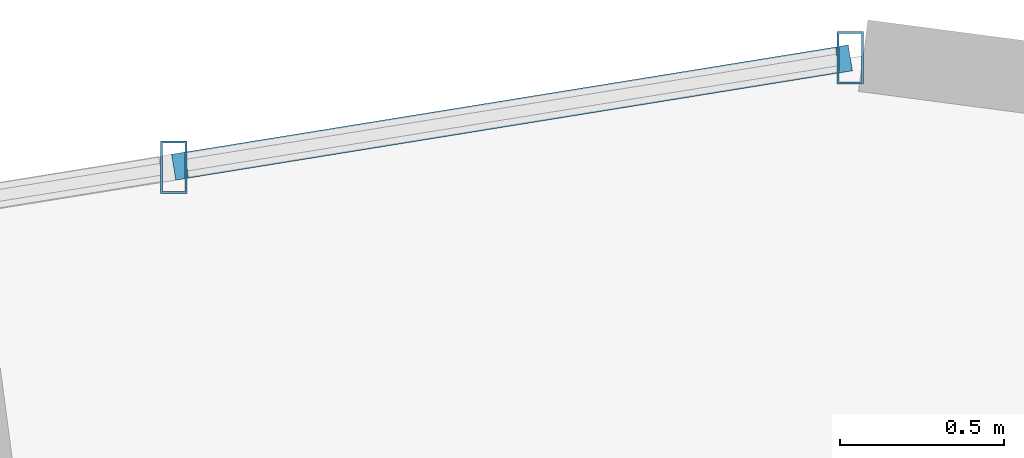
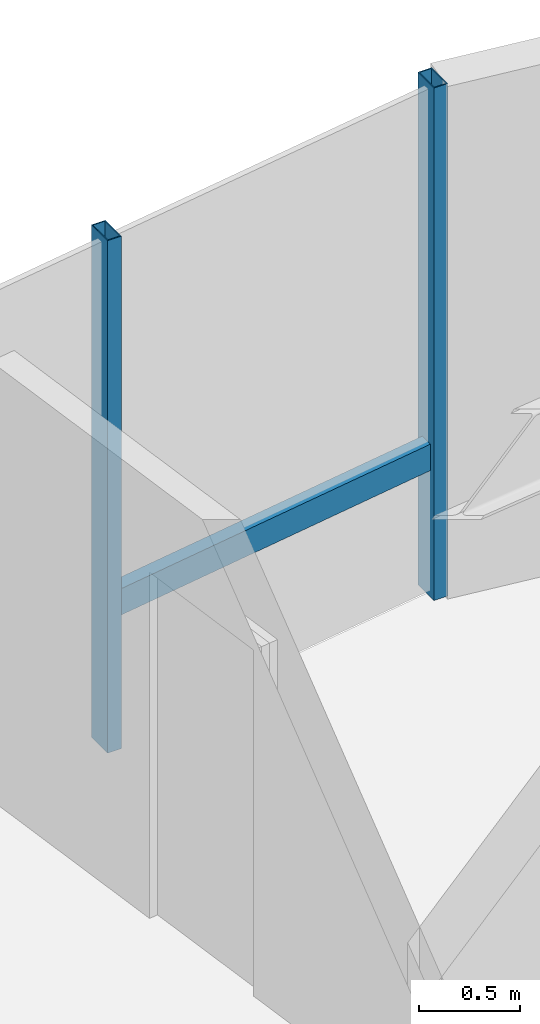
# One storey, part 16 of 22: 3 members, 1 element without a shape of its own.
"""IFC4 building model written with IfcOpenShell, lengths in metres."""

from ifc_helpers import new_model, si_unit, direction, frame, origin, origin_2d, place, context, subcontext, project, spatial, hollow_rectangle, extrude, source, transform, mapped, material, material_profile, profile_set, type_object, element, aggregate, save


model = new_model("IFC4")

# Units and contexts
model_context = context("Model", 3, precision=1e-05, world=origin(), true_north=direction((0.0, 1.0)))
body_context = subcontext(model_context, "Body", "Model", "MODEL_VIEW")
ifc_project = project(units=[si_unit("LENGTHUNIT", "METRE"), si_unit("AREAUNIT", "SQUARE_METRE"), si_unit("VOLUMEUNIT", "CUBIC_METRE"), si_unit("PLANEANGLEUNIT", "RADIAN"), si_unit("MASSUNIT", "GRAM", prefix="KILO")], contexts=[model_context])

# Site, building, storey
site_placement = place(None, origin())
site = spatial("IfcSite", under=ifc_project, at=site_placement, CompositionType="ELEMENT")
building_placement = place(site_placement, origin())
building = spatial("IfcBuilding", under=site, at=building_placement, Name="Sahyath Konkavel Grand Hotel", CompositionType="ELEMENT")
storey_placement = place(building_placement, frame((0.0, 0.0, 247.85009765625)))
storey = spatial("IfcBuildingStorey", under=building, at=storey_placement, Name="L69", CompositionType="ELEMENT", Elevation=247.85009765625)

# Curtain wall, members
ifc_material_1 = material(Name="Anodised Bronze Aluminium & Low-E Glazing", Category="aluminium")
curtain_wall_type = type_object("IfcCurtainWallType", Name="CW-ZONE4", PredefinedType="NOTDEFINED", material=ifc_material_1)
curtain_wall_placement = place(storey_placement, origin())
curtain_wall = element("IfcCurtainWall", 1, at=curtain_wall_placement, inside=storey, type_object=curtain_wall_type, Name="L69 Unitised Curtain Wall F12", PredefinedType="NOTDEFINED")
ifc_material_2 = material(Name="Anodised Bronze Aluminium", Category="aluminium")
ifc_material_profile_1 = material_profile(ifc_material_2, hollow_rectangle(XDim=0.080078125, YDim=0.159912109375, WallThickness=0.006103515625, at=origin_2d()), Name="RHS 160x80x6")
ifc_profile_set_1 = profile_set([ifc_material_profile_1], Name="Anodised Bronze Aluminium")
member_type_1 = type_object("IfcMemberType", Name="CW-MUL-160", PredefinedType="MULLION", material=ifc_profile_set_1)
shared_shape_1 = source(origin(), body_context, "Body", "SweptSolid", [
    extrude(hollow_rectangle(XDim=0.080078125, YDim=0.159912109375, WallThickness=0.006103515625, at=origin_2d()), origin(), (0.0, 0.0, 1.0), 3.10986328125),
])
member_1_placement = place(storey_placement, frame((1.096435546875, 20.194580078125, 0.0), z_axis=(0.0, 0.0, 1.0), x_axis=(1.0, 0.0, 0.0)))
member_1 = element("IfcMember", 2, at=member_1_placement, type_object=member_type_1, Name="L69 Curtain Wall Mullion F12-0", PredefinedType="MULLION", context=body_context, shape_type="MappedRepresentation", body=[
    mapped(shared_shape_1, transform((0.0, 0.0, 0.0), scale=1.0)),
])
member_2_placement = place(storey_placement, frame((-0.970458984375, 19.860595703125, 0.0), z_axis=(0.0, 0.0, 1.0), x_axis=(1.0, 0.0, 0.0)))
member_2 = element("IfcMember", 3, at=member_2_placement, type_object=member_type_1, Name="L69 Curtain Wall Mullion F12-1", PredefinedType="MULLION", context=body_context, shape_type="MappedRepresentation", body=[
    mapped(shared_shape_1, transform((0.0, 0.0, 0.0), scale=1.0)),
])
ifc_material_profile_2 = material_profile(ifc_material_2, hollow_rectangle(XDim=0.080078125, YDim=0.159912109375, WallThickness=0.006103515625, at=origin_2d()), Name="RHS 160x80x6")
ifc_profile_set_2 = profile_set([ifc_material_profile_2], Name="Anodised Bronze Aluminium")
member_type_2 = type_object("IfcMemberType", Name="CW-TRN-160", PredefinedType="USERDEFINED", material=ifc_profile_set_2)
shared_shape_2 = source(origin(), body_context, "Body", "SweptSolid", [
    extrude(hollow_rectangle(XDim=0.080078125, YDim=0.159912109375, WallThickness=0.006103515625, at=origin_2d()), origin(), (0.0, 0.0, 1.0), 2.09375),
])
member_3_placement = place(storey_placement, frame((1.096435546875, 20.194580078125, 0.849853515625), z_axis=(-0.987194956849, -0.159518391326, 0.0), x_axis=(0.159518391326, -0.987194956849, 0.0)))
member_3 = element("IfcMember", 4, at=member_3_placement, type_object=member_type_2, Name="L69 Curtain Wall Transom F12-0-spandrel", ObjectType="TRANSOM", PredefinedType="USERDEFINED", context=body_context, shape_type="MappedRepresentation", body=[
    mapped(shared_shape_2, transform((0.0, 0.0, 0.0), scale=1.0)),
])
aggregate(curtain_wall, [member_1, member_2, member_3])

save(model, "model.ifc")
